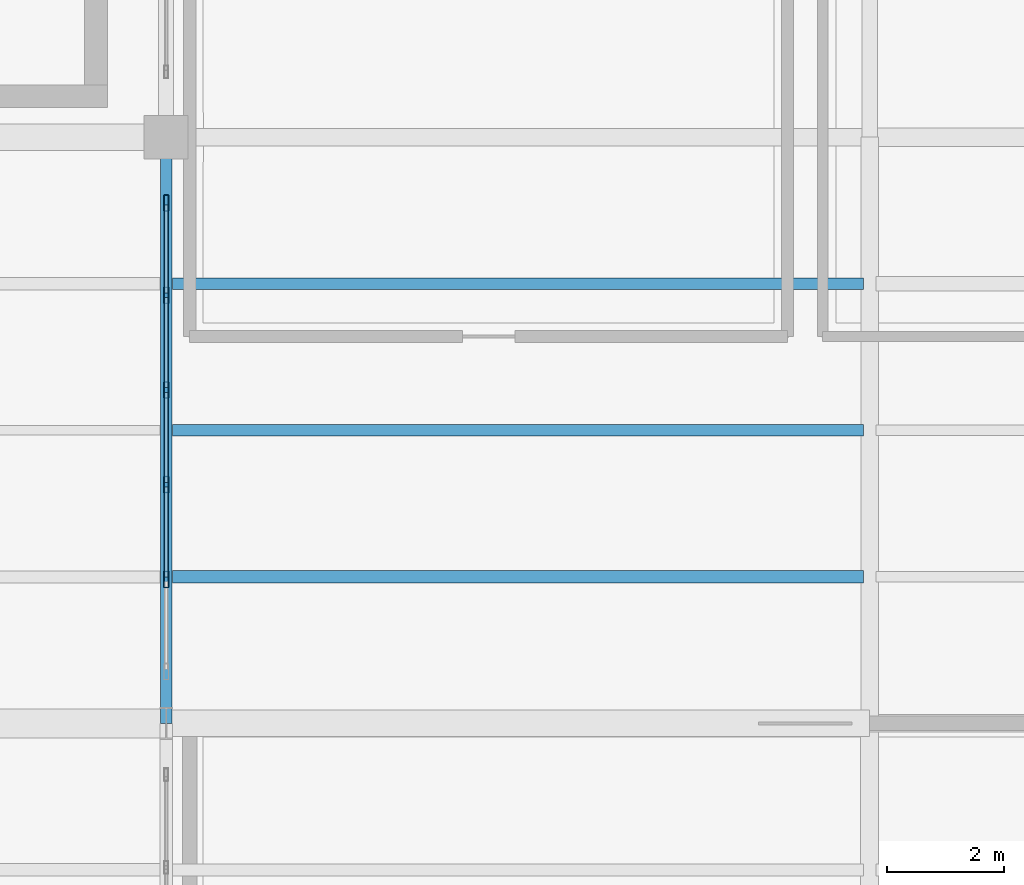
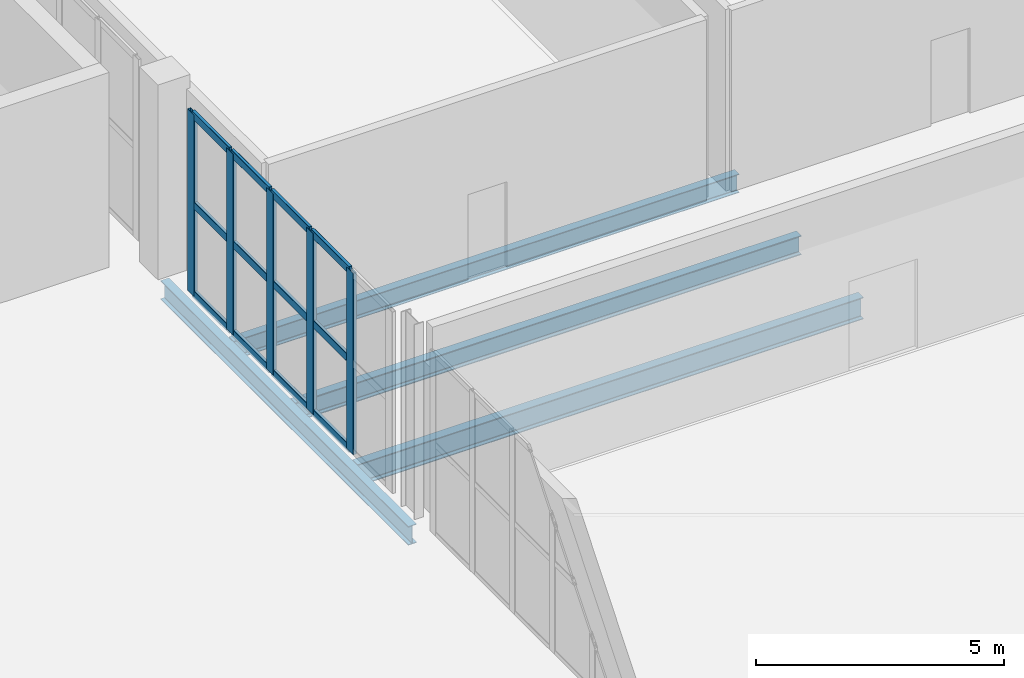
# One storey, part 77 of 136: 17 members, 4 beams, 1 element without a shape of its own.
"""IFC4 building model written with IfcOpenShell, lengths in metres."""

from ifc_helpers import new_model, si_unit, direction, frame, origin, origin_2d, place, context, subcontext, project, spatial, hollow_rectangle, i_section, extrude, material, layer, layer_set, material_profile, profile_set, type_object, element, aggregate, save


model = new_model("IFC4")

# Units and contexts
model_context = context("Model", 3, precision=1e-05, world=origin(), true_north=direction((0.0, 1.0)))
body_context = subcontext(model_context, "Body", "Model", "MODEL_VIEW")
ifc_project = project(units=[si_unit("LENGTHUNIT", "METRE"), si_unit("AREAUNIT", "SQUARE_METRE"), si_unit("VOLUMEUNIT", "CUBIC_METRE"), si_unit("PLANEANGLEUNIT", "RADIAN"), si_unit("MASSUNIT", "GRAM", prefix="KILO")], contexts=[model_context])

# Site, building, storey
site_placement = place(None, origin())
site = spatial("IfcSite", under=ifc_project, at=site_placement, CompositionType="ELEMENT")
building_placement = place(site_placement, origin())
building = spatial("IfcBuilding", under=site, at=building_placement, Name="Brinegate Civic Arena", CompositionType="ELEMENT")
storey_placement = place(building_placement, frame((0.0, 0.0, 5.39990234375)))
storey = spatial("IfcBuildingStorey", under=building, at=storey_placement, Name="L01", CompositionType="ELEMENT", Elevation=5.39990234375)

# Curtain wall, members
ifc_material_1 = material(Name="Marine grade aluminium", Category="aluminium")
ifc_layer = layer(ifc_material_1, 0.199951171875, Name="Marine grade aluminium")
ifc_layer_set = layer_set([ifc_layer], Name="Marine grade aluminium")
curtain_wall_type = type_object("IfcCurtainWallType", Name="CW-BOWL-GLAZED-01", PredefinedType="USERDEFINED", material=ifc_layer_set)
curtain_wall_placement = place(storey_placement, origin())
curtain_wall = element("IfcCurtainWall", 1, at=curtain_wall_placement, inside=storey, type_object=curtain_wall_type, Name="Curtain Wall CWA-053", ObjectType="GLAZED CURTAIN WALL", PredefinedType="USERDEFINED")
ifc_material_profile_1 = material_profile(ifc_material_1, hollow_rectangle(XDim=0.080078125, YDim=0.280029296875, WallThickness=0.007080078125, InnerFilletRadius=0.0048828125, OuterFilletRadius=0.010009765625, at=origin_2d()), Name="MUL80X280")
ifc_profile_set_1 = profile_set([ifc_material_profile_1], Name="Marine grade aluminium")
member_type_1 = type_object("IfcMemberType", Name="CW-MULLION-80X280", PredefinedType="MULLION", material=ifc_profile_set_1)
member_1_placement = place(storey_placement, frame((168.0, 64.45751953125, 0.0), z_axis=(0.0, 0.0, 1.0), x_axis=(-1.0, 0.0, 0.0)))
member_1 = element("IfcMember", 2, at=member_1_placement, type_object=member_type_1, Name="CWA-053 mullion 2", PredefinedType="MULLION", context=body_context, shape_type="SweptSolid", body=[
    extrude(hollow_rectangle(XDim=0.080078125, YDim=0.280029296875, WallThickness=0.007080078125, InnerFilletRadius=0.0048828125, OuterFilletRadius=0.010009765625, at=origin_2d()), origin(), (0.0, 0.0, 1.0), 4.47021484375),
])
member_2_placement = place(storey_placement, frame((168.0, 66.0732421875, 0.0), z_axis=(0.0, 0.0, 1.0), x_axis=(-1.0, 0.0, 0.0)))
member_2 = element("IfcMember", 3, at=member_2_placement, type_object=member_type_1, Name="CWA-053 mullion 3", PredefinedType="MULLION", context=body_context, shape_type="SweptSolid", body=[
    extrude(hollow_rectangle(XDim=0.080078125, YDim=0.280029296875, WallThickness=0.007080078125, InnerFilletRadius=0.0048828125, OuterFilletRadius=0.010009765625, at=origin_2d()), origin(), (0.0, 0.0, 1.0), 4.47021484375),
])
member_3_placement = place(storey_placement, frame((168.0, 67.688720703125, 0.0), z_axis=(0.0, 0.0, 1.0), x_axis=(-1.0, 0.0, 0.0)))
member_3 = element("IfcMember", 4, at=member_3_placement, type_object=member_type_1, Name="CWA-053 mullion 4", PredefinedType="MULLION", context=body_context, shape_type="SweptSolid", body=[
    extrude(hollow_rectangle(XDim=0.080078125, YDim=0.280029296875, WallThickness=0.007080078125, InnerFilletRadius=0.0048828125, OuterFilletRadius=0.010009765625, at=origin_2d()), origin(), (0.0, 0.0, 1.0), 4.47021484375),
])
member_4_placement = place(storey_placement, frame((168.0, 69.304443359375, 0.0), z_axis=(0.0, 0.0, 1.0), x_axis=(-1.0, 0.0, 0.0)))
member_4 = element("IfcMember", 5, at=member_4_placement, type_object=member_type_1, Name="CWA-053 mullion 5", PredefinedType="MULLION", context=body_context, shape_type="SweptSolid", body=[
    extrude(hollow_rectangle(XDim=0.080078125, YDim=0.280029296875, WallThickness=0.007080078125, InnerFilletRadius=0.0048828125, OuterFilletRadius=0.010009765625, at=origin_2d()), origin(), (0.0, 0.0, 1.0), 4.47021484375),
])
member_5_placement = place(storey_placement, frame((168.0, 70.8798828125, 0.0), z_axis=(0.0, 0.0, 1.0), x_axis=(-1.0, 0.0, 0.0)))
member_5 = element("IfcMember", 6, at=member_5_placement, type_object=member_type_1, Name="CWA-053 mullion 6", PredefinedType="MULLION", context=body_context, shape_type="SweptSolid", body=[
    extrude(hollow_rectangle(XDim=0.080078125, YDim=0.280029296875, WallThickness=0.007080078125, InnerFilletRadius=0.0048828125, OuterFilletRadius=0.010009765625, at=origin_2d()), origin(), (0.0, 0.0, 1.0), 4.47021484375),
])
ifc_material_profile_2 = material_profile(ifc_material_1, hollow_rectangle(XDim=0.074951171875, YDim=0.18994140625, WallThickness=0.006103515625, InnerFilletRadius=0.00390625, OuterFilletRadius=0.008056640625, at=origin_2d()), Name="TRN75X190")
ifc_profile_set_2 = profile_set([ifc_material_profile_2], Name="Marine grade aluminium")
member_type_2 = type_object("IfcMemberType", Name="CW-TRANSOM-75X190", PredefinedType="USERDEFINED", material=ifc_profile_set_2)
member_6_placement = place(storey_placement, frame((168.0, 64.49755859375, 0.03759765625), z_axis=(0.0, 1.0, 0.0), x_axis=(-1.0, 0.0, 0.0)))
member_6 = element("IfcMember", 7, at=member_6_placement, type_object=member_type_2, Name="CWA-053 transom 2.1", ObjectType="TRANSOM", PredefinedType="USERDEFINED", context=body_context, shape_type="SweptSolid", body=[
    extrude(hollow_rectangle(XDim=0.074951171875, YDim=0.18994140625, WallThickness=0.006103515625, InnerFilletRadius=0.00390625, OuterFilletRadius=0.008056640625, at=origin_2d()), origin(), (0.0, 0.0, 1.0), 1.53564453125),
])
member_7_placement = place(storey_placement, frame((168.0, 64.49755859375, 2.235107421875), z_axis=(0.0, 1.0, 0.0), x_axis=(-1.0, 0.0, 0.0)))
member_7 = element("IfcMember", 8, at=member_7_placement, type_object=member_type_2, Name="CWA-053 transom 2.2", ObjectType="TRANSOM", PredefinedType="USERDEFINED", context=body_context, shape_type="SweptSolid", body=[
    extrude(hollow_rectangle(XDim=0.074951171875, YDim=0.18994140625, WallThickness=0.006103515625, InnerFilletRadius=0.00390625, OuterFilletRadius=0.008056640625, at=origin_2d()), origin(), (0.0, 0.0, 1.0), 1.53564453125),
])
member_8_placement = place(storey_placement, frame((168.0, 64.49755859375, 4.4326171875), z_axis=(0.0, 1.0, 0.0), x_axis=(-1.0, 0.0, 0.0)))
member_8 = element("IfcMember", 9, at=member_8_placement, type_object=member_type_2, Name="CWA-053 transom 2.3", ObjectType="TRANSOM", PredefinedType="USERDEFINED", context=body_context, shape_type="SweptSolid", body=[
    extrude(hollow_rectangle(XDim=0.074951171875, YDim=0.18994140625, WallThickness=0.006103515625, InnerFilletRadius=0.00390625, OuterFilletRadius=0.008056640625, at=origin_2d()), origin(), (0.0, 0.0, 1.0), 1.53564453125),
])
member_9_placement = place(storey_placement, frame((168.0, 66.11328125, 0.03759765625), z_axis=(0.0, 1.0, 0.0), x_axis=(-1.0, 0.0, 0.0)))
member_9 = element("IfcMember", 10, at=member_9_placement, type_object=member_type_2, Name="CWA-053 transom 3.1", ObjectType="TRANSOM", PredefinedType="USERDEFINED", context=body_context, shape_type="SweptSolid", body=[
    extrude(hollow_rectangle(XDim=0.074951171875, YDim=0.18994140625, WallThickness=0.006103515625, InnerFilletRadius=0.00390625, OuterFilletRadius=0.008056640625, at=origin_2d()), origin(), (0.0, 0.0, 1.0), 1.535400390625),
])
member_10_placement = place(storey_placement, frame((168.0, 66.11328125, 2.235107421875), z_axis=(0.0, 1.0, 0.0), x_axis=(-1.0, 0.0, 0.0)))
member_10 = element("IfcMember", 11, at=member_10_placement, type_object=member_type_2, Name="CWA-053 transom 3.2", ObjectType="TRANSOM", PredefinedType="USERDEFINED", context=body_context, shape_type="SweptSolid", body=[
    extrude(hollow_rectangle(XDim=0.074951171875, YDim=0.18994140625, WallThickness=0.006103515625, InnerFilletRadius=0.00390625, OuterFilletRadius=0.008056640625, at=origin_2d()), origin(), (0.0, 0.0, 1.0), 1.535400390625),
])
member_11_placement = place(storey_placement, frame((168.0, 66.11328125, 4.4326171875), z_axis=(0.0, 1.0, 0.0), x_axis=(-1.0, 0.0, 0.0)))
member_11 = element("IfcMember", 12, at=member_11_placement, type_object=member_type_2, Name="CWA-053 transom 3.3", ObjectType="TRANSOM", PredefinedType="USERDEFINED", context=body_context, shape_type="SweptSolid", body=[
    extrude(hollow_rectangle(XDim=0.074951171875, YDim=0.18994140625, WallThickness=0.006103515625, InnerFilletRadius=0.00390625, OuterFilletRadius=0.008056640625, at=origin_2d()), origin(), (0.0, 0.0, 1.0), 1.535400390625),
])
member_12_placement = place(storey_placement, frame((168.0, 67.728759765625, 0.03759765625), z_axis=(0.0, 1.0, 0.0), x_axis=(-1.0, 0.0, 0.0)))
member_12 = element("IfcMember", 13, at=member_12_placement, type_object=member_type_2, Name="CWA-053 transom 4.1", ObjectType="TRANSOM", PredefinedType="USERDEFINED", context=body_context, shape_type="SweptSolid", body=[
    extrude(hollow_rectangle(XDim=0.074951171875, YDim=0.18994140625, WallThickness=0.006103515625, InnerFilletRadius=0.00390625, OuterFilletRadius=0.008056640625, at=origin_2d()), origin(), (0.0, 0.0, 1.0), 1.53564453125),
])
member_13_placement = place(storey_placement, frame((168.0, 67.728759765625, 2.235107421875), z_axis=(0.0, 1.0, 0.0), x_axis=(-1.0, 0.0, 0.0)))
member_13 = element("IfcMember", 14, at=member_13_placement, type_object=member_type_2, Name="CWA-053 transom 4.2", ObjectType="TRANSOM", PredefinedType="USERDEFINED", context=body_context, shape_type="SweptSolid", body=[
    extrude(hollow_rectangle(XDim=0.074951171875, YDim=0.18994140625, WallThickness=0.006103515625, InnerFilletRadius=0.00390625, OuterFilletRadius=0.008056640625, at=origin_2d()), origin(), (0.0, 0.0, 1.0), 1.53564453125),
])
member_14_placement = place(storey_placement, frame((168.0, 67.728759765625, 4.4326171875), z_axis=(0.0, 1.0, 0.0), x_axis=(-1.0, 0.0, 0.0)))
member_14 = element("IfcMember", 15, at=member_14_placement, type_object=member_type_2, Name="CWA-053 transom 4.3", ObjectType="TRANSOM", PredefinedType="USERDEFINED", context=body_context, shape_type="SweptSolid", body=[
    extrude(hollow_rectangle(XDim=0.074951171875, YDim=0.18994140625, WallThickness=0.006103515625, InnerFilletRadius=0.00390625, OuterFilletRadius=0.008056640625, at=origin_2d()), origin(), (0.0, 0.0, 1.0), 1.53564453125),
])
member_15_placement = place(storey_placement, frame((168.0, 69.344482421875, 0.03759765625), z_axis=(0.0, 1.0, 0.0), x_axis=(-1.0, 0.0, 0.0)))
member_15 = element("IfcMember", 16, at=member_15_placement, type_object=member_type_2, Name="CWA-053 transom 5.1", ObjectType="TRANSOM", PredefinedType="USERDEFINED", context=body_context, shape_type="SweptSolid", body=[
    extrude(hollow_rectangle(XDim=0.074951171875, YDim=0.18994140625, WallThickness=0.006103515625, InnerFilletRadius=0.00390625, OuterFilletRadius=0.008056640625, at=origin_2d()), origin(), (0.0, 0.0, 1.0), 1.49560546875),
])
member_16_placement = place(storey_placement, frame((168.0, 69.344482421875, 2.235107421875), z_axis=(0.0, 1.0, 0.0), x_axis=(-1.0, 0.0, 0.0)))
member_16 = element("IfcMember", 17, at=member_16_placement, type_object=member_type_2, Name="CWA-053 transom 5.2", ObjectType="TRANSOM", PredefinedType="USERDEFINED", context=body_context, shape_type="SweptSolid", body=[
    extrude(hollow_rectangle(XDim=0.074951171875, YDim=0.18994140625, WallThickness=0.006103515625, InnerFilletRadius=0.00390625, OuterFilletRadius=0.008056640625, at=origin_2d()), origin(), (0.0, 0.0, 1.0), 1.49560546875),
])
member_17_placement = place(storey_placement, frame((168.0, 69.344482421875, 4.4326171875), z_axis=(0.0, 1.0, 0.0), x_axis=(-1.0, 0.0, 0.0)))
member_17 = element("IfcMember", 18, at=member_17_placement, type_object=member_type_2, Name="CWA-053 transom 5.3", ObjectType="TRANSOM", PredefinedType="USERDEFINED", context=body_context, shape_type="SweptSolid", body=[
    extrude(hollow_rectangle(XDim=0.074951171875, YDim=0.18994140625, WallThickness=0.006103515625, InnerFilletRadius=0.00390625, OuterFilletRadius=0.008056640625, at=origin_2d()), origin(), (0.0, 0.0, 1.0), 1.49560546875),
])
aggregate(curtain_wall, [member_1, member_2, member_3, member_4, member_5, member_6, member_7, member_8, member_9, member_10, member_11, member_12, member_13, member_14, member_15, member_16, member_17])

# Beams
ifc_material_2 = material(Name="Steel S355", Category="steel")
ifc_material_profile_3 = material_profile(ifc_material_2, i_section(OverallWidth=0.195068359375, OverallDepth=0.472900390625, WebThickness=0.011962890625, FlangeThickness=0.02197265625, FilletRadius=0.014892578125, at=origin_2d()), Name="W460X113")
ifc_profile_set_3 = profile_set([ifc_material_profile_3], Name="Steel S355")
beam_type_1 = type_object("IfcBeamType", Name="JOIST-W460X113", PredefinedType="JOIST", material=ifc_profile_set_3)
beam_1_placement = place(storey_placement, frame((168.10595703125, 67.0, -0.575927734375), z_axis=(1.0, 0.0, 0.0), x_axis=(0.0, 1.0, 0.0)))
element("IfcBeam", 19, at=beam_1_placement, inside=storey, type_object=beam_type_1, Name="Secondary Joist BM-L01-JX-14-06-2", PredefinedType="JOIST", context=body_context, shape_type="SweptSolid", body=[
    extrude(i_section(OverallWidth=0.195068359375, OverallDepth=0.472900390625, WebThickness=0.011962890625, FlangeThickness=0.02197265625, FilletRadius=0.014892578125, at=origin_2d()), origin(), (0.0, 0.0, 1.0), 11.7880859375),
])
ifc_material_profile_4 = material_profile(ifc_material_2, i_section(OverallWidth=0.19091796875, OverallDepth=0.4599609375, WebThickness=0.010009765625, FlangeThickness=0.01611328125, FilletRadius=0.014892578125, at=origin_2d()), Name="W460X82")
ifc_profile_set_4 = profile_set([ifc_material_profile_4], Name="Steel S355")
beam_type_2 = type_object("IfcBeamType", Name="JOIST-W460X82", PredefinedType="JOIST", material=ifc_profile_set_4)
beam_2_placement = place(storey_placement, frame((168.10595703125, 69.5, -0.56982421875), z_axis=(1.0, 0.0, 0.0), x_axis=(0.0, 1.0, 0.0)))
element("IfcBeam", 20, at=beam_2_placement, inside=storey, type_object=beam_type_2, Name="Secondary Joist BM-L01-JX-14-06-3", PredefinedType="JOIST", context=body_context, shape_type="SweptSolid", body=[
    extrude(i_section(OverallWidth=0.19091796875, OverallDepth=0.4599609375, WebThickness=0.010009765625, FlangeThickness=0.01611328125, FilletRadius=0.014892578125, at=origin_2d()), origin(), (0.0, 0.0, 1.0), 11.7880859375),
])
ifc_material_profile_5 = material_profile(ifc_material_2, i_section(OverallWidth=0.2109375, OverallDepth=0.5390625, WebThickness=0.011962890625, FlangeThickness=0.01904296875, FilletRadius=0.01611328125, at=origin_2d()), Name="W530X109")
ifc_profile_set_5 = profile_set([ifc_material_profile_5], Name="Steel S355")
beam_type_3 = type_object("IfcBeamType", Name="JOIST-W530X109", PredefinedType="JOIST", material=ifc_profile_set_5)
beam_3_placement = place(storey_placement, frame((168.10595703125, 64.5, -0.60888671875), z_axis=(1.0, 0.0, 0.0), x_axis=(0.0, 1.0, 0.0)))
element("IfcBeam", 21, at=beam_3_placement, inside=storey, type_object=beam_type_3, Name="Secondary Joist BM-L01-JX-14-06-1", PredefinedType="JOIST", context=body_context, shape_type="SweptSolid", body=[
    extrude(i_section(OverallWidth=0.2109375, OverallDepth=0.5390625, WebThickness=0.011962890625, FlangeThickness=0.01904296875, FilletRadius=0.01611328125, at=origin_2d()), origin(), (0.0, 0.0, 1.0), 11.7880859375),
])
ifc_material_profile_6 = material_profile(ifc_material_2, i_section(OverallWidth=0.193115234375, OverallDepth=0.466064453125, WebThickness=0.010986328125, FlangeThickness=0.01904296875, FilletRadius=0.014892578125, at=origin_2d()), Name="W460X97")
ifc_profile_set_6 = profile_set([ifc_material_profile_6], Name="Steel S355")
beam_type_4 = type_object("IfcBeamType", Name="SPANDREL-W460X97", PredefinedType="SPANDREL", material=ifc_profile_set_6)
beam_4_placement = place(storey_placement, frame((168.0, 62.0, -0.572998046875), z_axis=(0.0, 1.0, 0.0), x_axis=(-1.0, 0.0, 0.0)))
element("IfcBeam", 22, at=beam_4_placement, inside=storey, type_object=beam_type_4, Name="Floor Girder BM-L01-GY-14-06", PredefinedType="SPANDREL", context=body_context, shape_type="SweptSolid", body=[
    extrude(i_section(OverallWidth=0.193115234375, OverallDepth=0.466064453125, WebThickness=0.010986328125, FlangeThickness=0.01904296875, FilletRadius=0.014892578125, at=origin_2d()), origin(), (0.0, 0.0, 1.0), 10.0),
])

save(model, "model.ifc")
